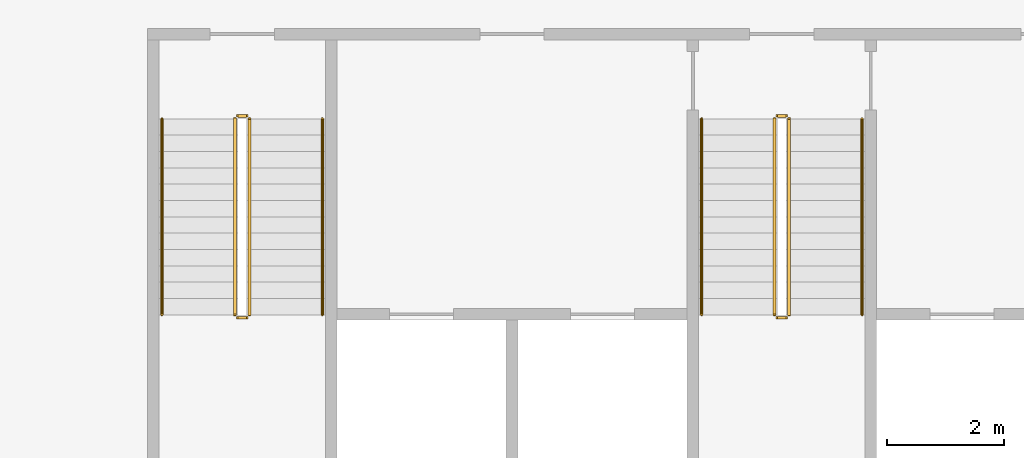
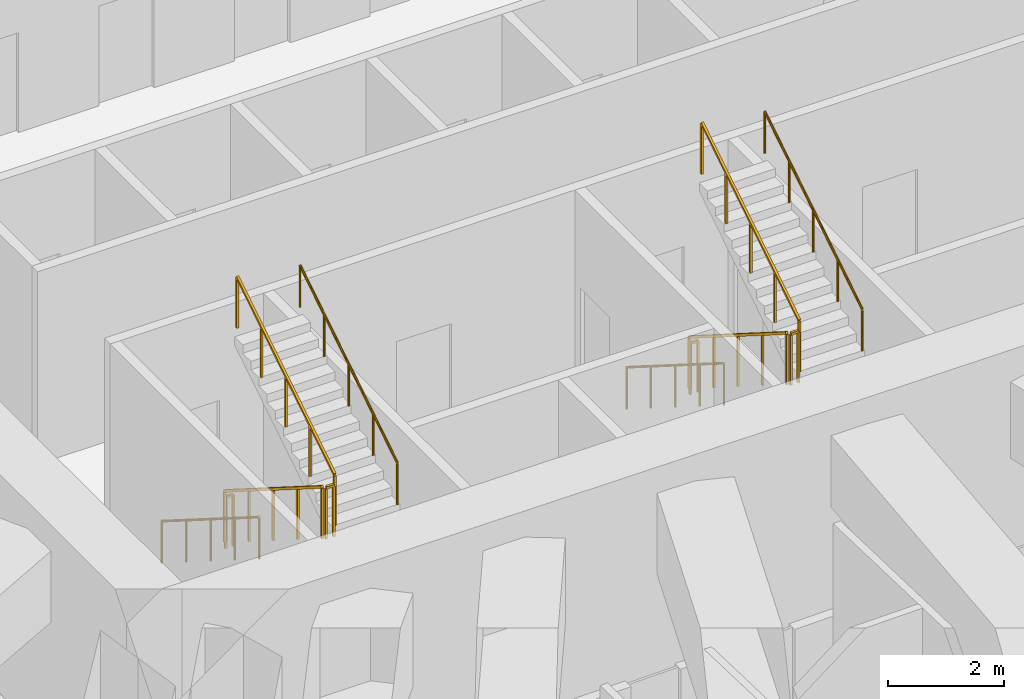
# One storey, part 17 of 20: 12 railings.
"""IFC4 building model written with IfcOpenShell, lengths in metres."""

from ifc_helpers import new_model, si_unit, direction, frame, origin, origin_2d, place, context, subcontext, project, spatial, rectangle, circle, extrude, material, type_object, element, save


model = new_model("IFC4")

# Units and contexts
model_context = context("Model", 3, precision=1e-05, world=origin(), true_north=direction((0.0, 1.0)))
body_context = subcontext(model_context, "Body", "Model", "MODEL_VIEW")
ifc_project = project(units=[si_unit("LENGTHUNIT", "METRE"), si_unit("AREAUNIT", "SQUARE_METRE"), si_unit("VOLUMEUNIT", "CUBIC_METRE"), si_unit("PLANEANGLEUNIT", "RADIAN"), si_unit("MASSUNIT", "GRAM", prefix="KILO")], contexts=[model_context])

# Site, building, storey
site_placement = place(None, origin())
site = spatial("IfcSite", under=ifc_project, at=site_placement, CompositionType="ELEMENT")
building_placement = place(site_placement, origin())
building = spatial("IfcBuilding", under=site, at=building_placement, Name="Mangrove Gate Tower", CompositionType="ELEMENT")
storey_placement = place(building_placement, frame((0.0, 0.0, 74.699951171875)))
storey = spatial("IfcBuildingStorey", under=building, at=storey_placement, Name="L18", CompositionType="ELEMENT", Elevation=74.699951171875)

# Railings
ifc_material_1 = material(Name="Stainless steel 316", Category="steel")
railing_type_1 = type_object("IfcRailingType", Name="Core stair guard 1100", PredefinedType="GUARDRAIL", material=ifc_material_1)
railing_1_placement = place(storey_placement, frame((-9.39990234375, -4.64990234375, 0.177001953125)))
element("IfcRailing", 1, at=railing_1_placement, inside=storey, type_object=railing_type_1, Name="L18 ST1 stair guard 1", PredefinedType="GUARDRAIL", context=body_context, shape_type="SweptSolid", body=[
    extrude(rectangle(XDim=0.048095703125, YDim=0.048095703125, at=origin_2d()), frame((0.0, 0.0, 1.076171875), z_axis=(0.0, -0.845389635667, 0.534150132366), x_axis=(1.0, 0.0, 0.0)), (0.0, 0.0, 1.0), 3.974609375),
    extrude(rectangle(XDim=0.0419921875, YDim=0.0419921875, at=origin_2d()), origin(), (0.0, 0.0, 1.0), 1.052001953125),
    extrude(rectangle(XDim=0.0419921875, YDim=0.0419921875, at=origin_2d()), frame((0.0, -0.840087890625, 0.53076171875)), (0.0, 0.0, 1.0), 1.052001953125),
    extrude(rectangle(XDim=0.0419921875, YDim=0.0419921875, at=origin_2d()), frame((0.0, -1.68017578125, 1.0615234375)), (0.0, 0.0, 1.0), 1.052001953125),
    extrude(rectangle(XDim=0.0419921875, YDim=0.0419921875, at=origin_2d()), frame((0.0, -2.52001953125, 1.59228515625)), (0.0, 0.0, 1.0), 1.052001953125),
    extrude(rectangle(XDim=0.0419921875, YDim=0.0419921875, at=origin_2d()), frame((0.0, -3.360107421875, 2.123046875)), (0.0, 0.0, 1.0), 1.052001953125),
])
railing_2_placement = place(storey_placement, frame((-9.35009765625, -8.06005859375, 2.300048828125)))
element("IfcRailing", 2, at=railing_2_placement, inside=storey, type_object=railing_type_1, Name="L18 ST1 stair guard 2", PredefinedType="GUARDRAIL", context=body_context, shape_type="SweptSolid", body=[
    extrude(rectangle(XDim=0.048095703125, YDim=0.048095703125, at=origin_2d()), frame((0.0, 0.0, 1.076171875), z_axis=(1.0, 0.0, 0.0), x_axis=(0.0, 1.0, 0.0)), (0.0, 0.0, 1.0), 0.150146484375),
    extrude(rectangle(XDim=0.0419921875, YDim=0.0419921875, at=origin_2d()), origin(), (0.0, 0.0, 1.0), 1.052001953125),
    extrude(rectangle(XDim=0.0419921875, YDim=0.0419921875, at=origin_2d()), frame((0.150146484375, 0.0, 0.0)), (0.0, 0.0, 1.0), 1.052001953125),
])
railing_3_placement = place(storey_placement, frame((-9.14990234375, -8.010009765625, 2.47705078125)))
element("IfcRailing", 3, at=railing_3_placement, inside=storey, type_object=railing_type_1, Name="L18 ST1 stair guard 3", PredefinedType="GUARDRAIL", context=body_context, shape_type="SweptSolid", body=[
    extrude(rectangle(XDim=0.048095703125, YDim=0.048095703125, at=origin_2d()), frame((0.0, 0.0, 1.076171875), z_axis=(0.0, 0.845389635667, 0.534150132366), x_axis=(-1.0, 0.0, 0.0)), (0.0, 0.0, 1.0), 3.974609375),
    extrude(rectangle(XDim=0.0419921875, YDim=0.0419921875, at=origin_2d()), origin(), (0.0, 0.0, 1.0), 1.052001953125),
    extrude(rectangle(XDim=0.0419921875, YDim=0.0419921875, at=origin_2d()), frame((0.0, 0.840087890625, 0.53076171875)), (0.0, 0.0, 1.0), 1.052001953125),
    extrude(rectangle(XDim=0.0419921875, YDim=0.0419921875, at=origin_2d()), frame((0.0, 1.68017578125, 1.0615234375)), (0.0, 0.0, 1.0), 1.052001953125),
    extrude(rectangle(XDim=0.0419921875, YDim=0.0419921875, at=origin_2d()), frame((0.0, 2.52001953125, 1.59228515625)), (0.0, 0.0, 1.0), 1.052001953125),
    extrude(rectangle(XDim=0.0419921875, YDim=0.0419921875, at=origin_2d()), frame((0.0, 3.360107421875, 2.123046875)), (0.0, 0.0, 1.0), 1.052001953125),
])
railing_4_placement = place(storey_placement, frame((-9.35009765625, -4.60009765625, 0.0)))
element("IfcRailing", 4, at=railing_4_placement, inside=storey, type_object=railing_type_1, Name="L18 ST1 stair guard 4", PredefinedType="GUARDRAIL", context=body_context, shape_type="SweptSolid", body=[
    extrude(rectangle(XDim=0.048095703125, YDim=0.048095703125, at=origin_2d()), frame((0.0, 0.0, 1.076171875), z_axis=(1.0, 0.0, 0.0), x_axis=(0.0, 1.0, 0.0)), (0.0, 0.0, 1.0), 0.150146484375),
    extrude(rectangle(XDim=0.0419921875, YDim=0.0419921875, at=origin_2d()), origin(), (0.0, 0.0, 1.0), 1.052001953125),
    extrude(rectangle(XDim=0.0419921875, YDim=0.0419921875, at=origin_2d()), frame((0.150146484375, 0.0, 0.0)), (0.0, 0.0, 1.0), 1.052001953125),
])
railing_5_placement = place(storey_placement, frame((-0.14990234375, -4.64990234375, 0.177001953125)))
element("IfcRailing", 5, at=railing_5_placement, inside=storey, type_object=railing_type_1, Name="L18 ST2 stair guard 1", PredefinedType="GUARDRAIL", context=body_context, shape_type="SweptSolid", body=[
    extrude(rectangle(XDim=0.048095703125, YDim=0.048095703125, at=origin_2d()), frame((0.0, 0.0, 1.076171875), z_axis=(0.0, -0.845389635667, 0.534150132366), x_axis=(1.0, 0.0, 0.0)), (0.0, 0.0, 1.0), 3.974609375),
    extrude(rectangle(XDim=0.0419921875, YDim=0.0419921875, at=origin_2d()), origin(), (0.0, 0.0, 1.0), 1.052001953125),
    extrude(rectangle(XDim=0.0419921875, YDim=0.0419921875, at=origin_2d()), frame((0.0, -0.840087890625, 0.53076171875)), (0.0, 0.0, 1.0), 1.052001953125),
    extrude(rectangle(XDim=0.0419921875, YDim=0.0419921875, at=origin_2d()), frame((0.0, -1.68017578125, 1.0615234375)), (0.0, 0.0, 1.0), 1.052001953125),
    extrude(rectangle(XDim=0.0419921875, YDim=0.0419921875, at=origin_2d()), frame((0.0, -2.52001953125, 1.59228515625)), (0.0, 0.0, 1.0), 1.052001953125),
    extrude(rectangle(XDim=0.0419921875, YDim=0.0419921875, at=origin_2d()), frame((0.0, -3.360107421875, 2.123046875)), (0.0, 0.0, 1.0), 1.052001953125),
])
railing_6_placement = place(storey_placement, frame((-0.10009765625, -8.06005859375, 2.300048828125)))
element("IfcRailing", 6, at=railing_6_placement, inside=storey, type_object=railing_type_1, Name="L18 ST2 stair guard 2", PredefinedType="GUARDRAIL", context=body_context, shape_type="SweptSolid", body=[
    extrude(rectangle(XDim=0.048095703125, YDim=0.048095703125, at=origin_2d()), frame((0.0, 0.0, 1.076171875), z_axis=(1.0, 0.0, 0.0), x_axis=(0.0, 1.0, 0.0)), (0.0, 0.0, 1.0), 0.150146484375),
    extrude(rectangle(XDim=0.0419921875, YDim=0.0419921875, at=origin_2d()), origin(), (0.0, 0.0, 1.0), 1.052001953125),
    extrude(rectangle(XDim=0.0419921875, YDim=0.0419921875, at=origin_2d()), frame((0.150146484375, 0.0, 0.0)), (0.0, 0.0, 1.0), 1.052001953125),
])
railing_7_placement = place(storey_placement, frame((0.10009765625, -8.010009765625, 2.47705078125)))
element("IfcRailing", 7, at=railing_7_placement, inside=storey, type_object=railing_type_1, Name="L18 ST2 stair guard 3", PredefinedType="GUARDRAIL", context=body_context, shape_type="SweptSolid", body=[
    extrude(rectangle(XDim=0.048095703125, YDim=0.048095703125, at=origin_2d()), frame((0.0, 0.0, 1.076171875), z_axis=(0.0, 0.845389635667, 0.534150132366), x_axis=(-1.0, 0.0, 0.0)), (0.0, 0.0, 1.0), 3.974609375),
    extrude(rectangle(XDim=0.0419921875, YDim=0.0419921875, at=origin_2d()), origin(), (0.0, 0.0, 1.0), 1.052001953125),
    extrude(rectangle(XDim=0.0419921875, YDim=0.0419921875, at=origin_2d()), frame((0.0, 0.840087890625, 0.53076171875)), (0.0, 0.0, 1.0), 1.052001953125),
    extrude(rectangle(XDim=0.0419921875, YDim=0.0419921875, at=origin_2d()), frame((0.0, 1.68017578125, 1.0615234375)), (0.0, 0.0, 1.0), 1.052001953125),
    extrude(rectangle(XDim=0.0419921875, YDim=0.0419921875, at=origin_2d()), frame((0.0, 2.52001953125, 1.59228515625)), (0.0, 0.0, 1.0), 1.052001953125),
    extrude(rectangle(XDim=0.0419921875, YDim=0.0419921875, at=origin_2d()), frame((0.0, 3.360107421875, 2.123046875)), (0.0, 0.0, 1.0), 1.052001953125),
])
railing_8_placement = place(storey_placement, frame((-0.10009765625, -4.60009765625, 0.0)))
element("IfcRailing", 8, at=railing_8_placement, inside=storey, type_object=railing_type_1, Name="L18 ST2 stair guard 4", PredefinedType="GUARDRAIL", context=body_context, shape_type="SweptSolid", body=[
    extrude(rectangle(XDim=0.048095703125, YDim=0.048095703125, at=origin_2d()), frame((0.0, 0.0, 1.076171875), z_axis=(1.0, 0.0, 0.0), x_axis=(0.0, 1.0, 0.0)), (0.0, 0.0, 1.0), 0.150146484375),
    extrude(rectangle(XDim=0.0419921875, YDim=0.0419921875, at=origin_2d()), origin(), (0.0, 0.0, 1.0), 1.052001953125),
    extrude(rectangle(XDim=0.0419921875, YDim=0.0419921875, at=origin_2d()), frame((0.150146484375, 0.0, 0.0)), (0.0, 0.0, 1.0), 1.052001953125),
])
ifc_material_2 = material(Name="Stainless steel 316", Category="steel")
railing_type_2 = type_object("IfcRailingType", Name="Core stair handrail 900", PredefinedType="HANDRAIL", material=ifc_material_2)
railing_9_placement = place(storey_placement, frame((-10.64990234375, -4.64990234375, 0.177001953125)))
element("IfcRailing", 9, at=railing_9_placement, inside=storey, type_object=railing_type_2, Name="L18 ST1 stair handrail 1", PredefinedType="HANDRAIL", context=body_context, shape_type="SweptSolid", body=[
    extrude(circle(Radius=0.02392578125, at=origin_2d()), frame((0.0, 0.0, 0.8759765625), z_axis=(0.0, -0.845389635667, 0.534150132366), x_axis=(1.0, 0.0, 0.0)), (0.0, 0.0, 1.0), 3.974609375),
    extrude(circle(Radius=0.02099609375, at=origin_2d()), origin(), (0.0, 0.0, 1.0), 0.851806640625),
    extrude(circle(Radius=0.02099609375, at=origin_2d()), frame((0.0, -0.840087890625, 0.53076171875)), (0.0, 0.0, 1.0), 0.851806640625),
    extrude(circle(Radius=0.02099609375, at=origin_2d()), frame((0.0, -1.68017578125, 1.0615234375)), (0.0, 0.0, 1.0), 0.851806640625),
    extrude(circle(Radius=0.02099609375, at=origin_2d()), frame((0.0, -2.52001953125, 1.59228515625)), (0.0, 0.0, 1.0), 0.851806640625),
    extrude(circle(Radius=0.02099609375, at=origin_2d()), frame((0.0, -3.360107421875, 2.123046875)), (0.0, 0.0, 1.0), 0.851806640625),
])
railing_10_placement = place(storey_placement, frame((-7.89990234375, -8.010009765625, 2.47705078125)))
element("IfcRailing", 10, at=railing_10_placement, inside=storey, type_object=railing_type_2, Name="L18 ST1 stair handrail 2", PredefinedType="HANDRAIL", context=body_context, shape_type="SweptSolid", body=[
    extrude(circle(Radius=0.02392578125, at=origin_2d()), frame((0.0, 0.0, 0.8759765625), z_axis=(0.0, 0.845389635667, 0.534150132366), x_axis=(-1.0, 0.0, 0.0)), (0.0, 0.0, 1.0), 3.974609375),
    extrude(circle(Radius=0.02099609375, at=origin_2d()), origin(), (0.0, 0.0, 1.0), 0.851806640625),
    extrude(circle(Radius=0.02099609375, at=origin_2d()), frame((0.0, 0.840087890625, 0.53076171875)), (0.0, 0.0, 1.0), 0.851806640625),
    extrude(circle(Radius=0.02099609375, at=origin_2d()), frame((0.0, 1.68017578125, 1.0615234375)), (0.0, 0.0, 1.0), 0.851806640625),
    extrude(circle(Radius=0.02099609375, at=origin_2d()), frame((0.0, 2.52001953125, 1.59228515625)), (0.0, 0.0, 1.0), 0.851806640625),
    extrude(circle(Radius=0.02099609375, at=origin_2d()), frame((0.0, 3.360107421875, 2.123046875)), (0.0, 0.0, 1.0), 0.851806640625),
])
railing_11_placement = place(storey_placement, frame((-1.39990234375, -4.64990234375, 0.177001953125)))
element("IfcRailing", 11, at=railing_11_placement, inside=storey, type_object=railing_type_2, Name="L18 ST2 stair handrail 1", PredefinedType="HANDRAIL", context=body_context, shape_type="SweptSolid", body=[
    extrude(circle(Radius=0.02392578125, at=origin_2d()), frame((0.0, 0.0, 0.8759765625), z_axis=(0.0, -0.845389635667, 0.534150132366), x_axis=(1.0, 0.0, 0.0)), (0.0, 0.0, 1.0), 3.974609375),
    extrude(circle(Radius=0.02099609375, at=origin_2d()), origin(), (0.0, 0.0, 1.0), 0.851806640625),
    extrude(circle(Radius=0.02099609375, at=origin_2d()), frame((0.0, -0.840087890625, 0.53076171875)), (0.0, 0.0, 1.0), 0.851806640625),
    extrude(circle(Radius=0.02099609375, at=origin_2d()), frame((0.0, -1.68017578125, 1.0615234375)), (0.0, 0.0, 1.0), 0.851806640625),
    extrude(circle(Radius=0.02099609375, at=origin_2d()), frame((0.0, -2.52001953125, 1.59228515625)), (0.0, 0.0, 1.0), 0.851806640625),
    extrude(circle(Radius=0.02099609375, at=origin_2d()), frame((0.0, -3.360107421875, 2.123046875)), (0.0, 0.0, 1.0), 0.851806640625),
])
railing_12_placement = place(storey_placement, frame((1.35009765625, -8.010009765625, 2.47705078125)))
element("IfcRailing", 12, at=railing_12_placement, inside=storey, type_object=railing_type_2, Name="L18 ST2 stair handrail 2", PredefinedType="HANDRAIL", context=body_context, shape_type="SweptSolid", body=[
    extrude(circle(Radius=0.02392578125, at=origin_2d()), frame((0.0, 0.0, 0.8759765625), z_axis=(0.0, 0.845389635667, 0.534150132366), x_axis=(-1.0, 0.0, 0.0)), (0.0, 0.0, 1.0), 3.974609375),
    extrude(circle(Radius=0.02099609375, at=origin_2d()), origin(), (0.0, 0.0, 1.0), 0.851806640625),
    extrude(circle(Radius=0.02099609375, at=origin_2d()), frame((0.0, 0.840087890625, 0.53076171875)), (0.0, 0.0, 1.0), 0.851806640625),
    extrude(circle(Radius=0.02099609375, at=origin_2d()), frame((0.0, 1.68017578125, 1.0615234375)), (0.0, 0.0, 1.0), 0.851806640625),
    extrude(circle(Radius=0.02099609375, at=origin_2d()), frame((0.0, 2.52001953125, 1.59228515625)), (0.0, 0.0, 1.0), 0.851806640625),
    extrude(circle(Radius=0.02099609375, at=origin_2d()), frame((0.0, 3.360107421875, 2.123046875)), (0.0, 0.0, 1.0), 0.851806640625),
])

save(model, "model.ifc")
